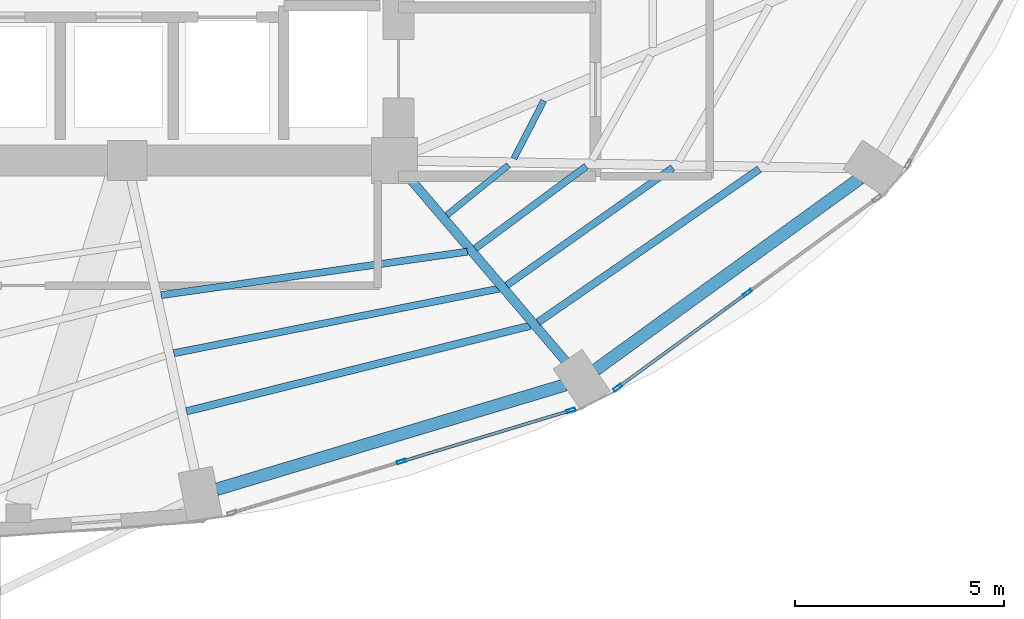
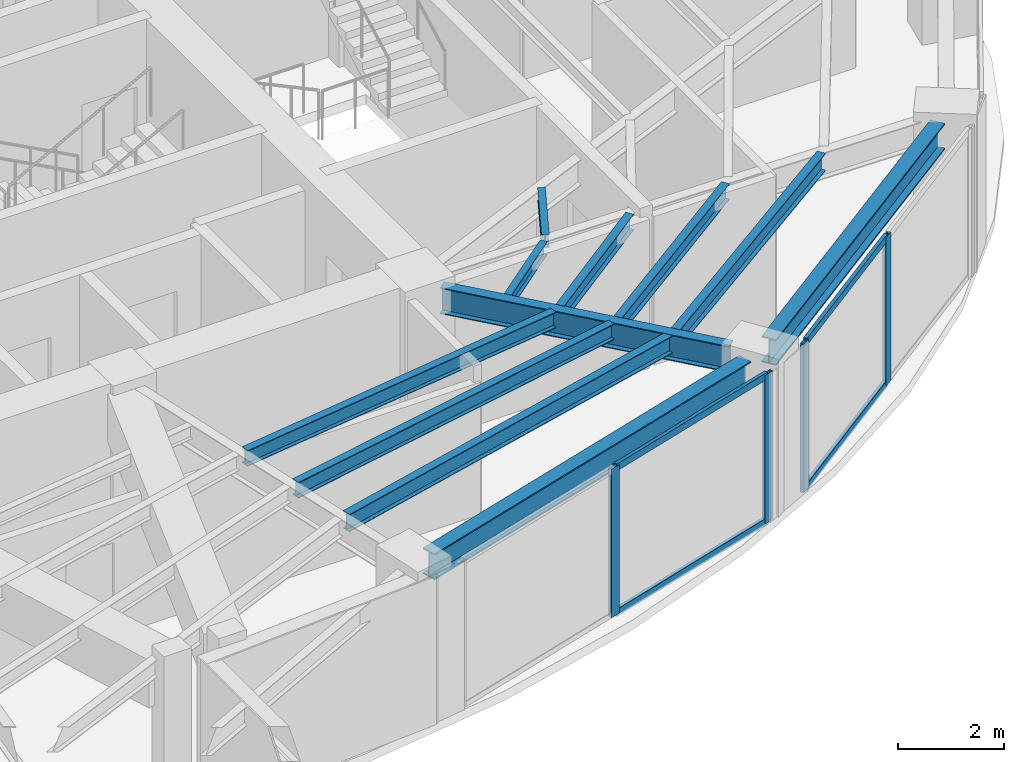
# One storey, part 10 of 23: 11 beams, 8 members, 2 elements without a shape of their own.
"""IFC4 building model written with IfcOpenShell, lengths in metres."""

from ifc_helpers import new_model, si_unit, direction, frame, origin, origin_2d, place, context, subcontext, project, spatial, hollow_rectangle, i_section, extrude, material, layer, layer_set, material_profile, profile_set, type_object, element, aggregate, save


model = new_model("IFC4")

# Units and contexts
model_context = context("Model", 3, precision=1e-05, world=origin(), true_north=direction((0.0, 1.0)))
body_context = subcontext(model_context, "Body", "Model", "MODEL_VIEW")
ifc_project = project(units=[si_unit("LENGTHUNIT", "METRE"), si_unit("AREAUNIT", "SQUARE_METRE"), si_unit("VOLUMEUNIT", "CUBIC_METRE"), si_unit("PLANEANGLEUNIT", "RADIAN"), si_unit("MASSUNIT", "GRAM", prefix="KILO")], contexts=[model_context])

# Site, building, storey
site_placement = place(None, origin())
site = spatial("IfcSite", under=ifc_project, at=site_placement, CompositionType="ELEMENT")
building_placement = place(site_placement, origin())
building = spatial("IfcBuilding", under=site, at=building_placement, Name="Lazwardi Medical Tower", CompositionType="ELEMENT")
storey_placement = place(building_placement, frame((0.0, 0.0, 121.8720703125)))
storey = spatial("IfcBuildingStorey", under=building, at=storey_placement, Name="L31", CompositionType="ELEMENT", Elevation=121.8720703125)

# Beams
ifc_material_1 = material(Name="Steel S355", Category="steel")
ifc_material_profile_1 = material_profile(ifc_material_1, i_section(OverallWidth=0.300048828125, OverallDepth=0.60009765625, WebThickness=0.015380859375, FlangeThickness=0.030029296875, at=origin_2d()), Name="HEB 600")
ifc_profile_set_1 = profile_set([ifc_material_profile_1], Name="Steel S355")
beam_type_1 = type_object("IfcBeamType", Name="BM-RB-Z2", PredefinedType="BEAM", material=ifc_profile_set_1)
beam_1_placement = place(storey_placement, frame((41.338134765625, 12.5205078125, 3.1279296875), z_axis=(0.957879438442, 0.287170648587, 0.0), x_axis=(-0.287170648587, 0.957879438442, 0.0)))
element("IfcBeam", 1, at=beam_1_placement, inside=storey, type_object=beam_type_1, Name="Ring beam RB-03 B01 L31", PredefinedType="BEAM", context=body_context, shape_type="SweptSolid", body=[
    extrude(i_section(OverallWidth=0.300048828125, OverallDepth=0.60009765625, WebThickness=0.015380859375, FlangeThickness=0.030029296875, at=origin_2d()), origin(), (0.0, 0.0, 1.0), 8.719970703125),
])
beam_2_placement = place(storey_placement, frame((50.415771484375, 15.3828125, 3.1279296875), z_axis=(0.810041907649, 0.586371987609, 0.0), x_axis=(-0.586371987609, 0.810041907649, 0.0)))
element("IfcBeam", 2, at=beam_2_placement, inside=storey, type_object=beam_type_1, Name="Ring beam RB-03 B02 L31", PredefinedType="BEAM", context=body_context, shape_type="SweptSolid", body=[
    extrude(i_section(OverallWidth=0.300048828125, OverallDepth=0.60009765625, WebThickness=0.015380859375, FlangeThickness=0.030029296875, at=origin_2d()), origin(), (0.0, 0.0, 1.0), 7.814208984375),
])
ifc_material_profile_2 = material_profile(ifc_material_1, i_section(OverallWidth=0.219970703125, OverallDepth=0.60009765625, WebThickness=0.011962890625, FlangeThickness=0.01904296875, at=origin_2d()), Name="IPE 600")
ifc_profile_set_2 = profile_set([ifc_material_profile_2], Name="Steel S355")
beam_type_2 = type_object("IfcBeamType", Name="BM-RG-W1", PredefinedType="BEAM", material=ifc_profile_set_2)
beam_3_placement = place(storey_placement, frame((49.707275390625, 15.583740234375, 3.1279296875), z_axis=(-0.648870567436, 0.760898801889, 0.0), x_axis=(-0.760898801889, -0.648870567436, 0.0)))
element("IfcBeam", 3, at=beam_3_placement, inside=storey, type_object=beam_type_2, Name="Radial girder RG-02 R02 L31", PredefinedType="BEAM", context=body_context, shape_type="SweptSolid", body=[
    extrude(i_section(OverallWidth=0.219970703125, OverallDepth=0.60009765625, WebThickness=0.011962890625, FlangeThickness=0.01904296875, at=origin_2d()), origin(), (0.0, 0.0, 1.0), 5.794677734375),
])
ifc_material_profile_3 = material_profile(ifc_material_1, i_section(OverallWidth=0.179931640625, OverallDepth=0.39990234375, WebThickness=0.008544921875, FlangeThickness=0.013427734375, at=origin_2d()), Name="IPE 400")
ifc_profile_set_3 = profile_set([ifc_material_profile_3], Name="Steel S355")
beam_type_3 = type_object("IfcBeamType", Name="BM-SJ-01", PredefinedType="JOIST", material=ifc_profile_set_3)
beam_4_placement = place(storey_placement, frame((40.618896484375, 14.390869140625, 3.22802734375), z_axis=(0.970400881943, 0.241499748081, 0.0), x_axis=(-0.241499748081, 0.970400881943, 0.0)))
element("IfcBeam", 4, at=beam_4_placement, inside=storey, type_object=beam_type_3, Name="Secondary joist SJ-01 R1 B01 L31", PredefinedType="JOIST", context=body_context, shape_type="SweptSolid", body=[
    extrude(i_section(OverallWidth=0.179931640625, OverallDepth=0.39990234375, WebThickness=0.008544921875, FlangeThickness=0.013427734375, at=origin_2d()), origin(), (0.0, 0.0, 1.0), 8.48583984375),
])
beam_5_placement = place(storey_placement, frame((49.04150390625, 16.525390625, 3.22802734375), z_axis=(0.822376339068, 0.568943896128, 0.0), x_axis=(-0.568943896128, 0.822376339068, 0.0)))
element("IfcBeam", 5, at=beam_5_placement, inside=storey, type_object=beam_type_3, Name="Secondary joist SJ-01 R1 B02 L31", PredefinedType="JOIST", context=body_context, shape_type="SweptSolid", body=[
    extrude(i_section(OverallWidth=0.179931640625, OverallDepth=0.39990234375, WebThickness=0.008544921875, FlangeThickness=0.013427734375, at=origin_2d()), origin(), (0.0, 0.0, 1.0), 6.44189453125),
])
ifc_material_profile_4 = material_profile(ifc_material_1, i_section(OverallWidth=0.169921875, OverallDepth=0.360107421875, WebThickness=0.008056640625, FlangeThickness=0.0126953125, at=origin_2d()), Name="IPE 360")
ifc_profile_set_4 = profile_set([ifc_material_profile_4], Name="Steel S355")
beam_type_4 = type_object("IfcBeamType", Name="BM-SJ-02", PredefinedType="JOIST", material=ifc_profile_set_4)
beam_6_placement = place(storey_placement, frame((40.315185546875, 15.7822265625, 3.248046875), z_axis=(0.980878853282, 0.194619308352, 0.0), x_axis=(-0.194619308352, 0.980878853282, 0.0)))
element("IfcBeam", 6, at=beam_6_placement, inside=storey, type_object=beam_type_4, Name="Secondary joist SJ-02 R2 B01 L31", PredefinedType="JOIST", context=body_context, shape_type="SweptSolid", body=[
    extrude(i_section(OverallWidth=0.169921875, OverallDepth=0.360107421875, WebThickness=0.008056640625, FlangeThickness=0.0126953125, at=origin_2d()), origin(), (0.0, 0.0, 1.0), 7.93701171875),
])
beam_7_placement = place(storey_placement, frame((48.2890625, 17.408203125, 3.248046875), z_axis=(0.816156371539, 0.577831097464, 0.0), x_axis=(-0.577831097464, 0.816156371539, 0.0)))
element("IfcBeam", 7, at=beam_7_placement, inside=storey, type_object=beam_type_4, Name="Secondary joist SJ-02 R2 B02 L31", PredefinedType="JOIST", context=body_context, shape_type="SweptSolid", body=[
    extrude(i_section(OverallWidth=0.169921875, OverallDepth=0.360107421875, WebThickness=0.008056640625, FlangeThickness=0.0126953125, at=origin_2d()), origin(), (0.0, 0.0, 1.0), 4.8740234375),
])
beam_8_placement = place(storey_placement, frame((40.011474609375, 17.1728515625, 3.248046875), z_axis=(0.990067108571, 0.140595592128, 0.0), x_axis=(-0.140595592128, 0.990067108571, 0.0)))
element("IfcBeam", 8, at=beam_8_placement, inside=storey, type_object=beam_type_4, Name="Secondary joist SJ-02 R3 B01 L31", PredefinedType="JOIST", context=body_context, shape_type="SweptSolid", body=[
    extrude(i_section(OverallWidth=0.169921875, OverallDepth=0.360107421875, WebThickness=0.008056640625, FlangeThickness=0.0126953125, at=origin_2d()), origin(), (0.0, 0.0, 1.0), 7.409423828125),
])
beam_9_placement = place(storey_placement, frame((47.53564453125, 18.291748046875, 3.248046875), z_axis=(0.804125525058, 0.594459536008, 0.0), x_axis=(-0.594459536008, 0.804125525058, 0.0)))
element("IfcBeam", 9, at=beam_9_placement, inside=storey, type_object=beam_type_4, Name="Secondary joist SJ-02 R3 B02 L31", PredefinedType="JOIST", context=body_context, shape_type="SweptSolid", body=[
    extrude(i_section(OverallWidth=0.169921875, OverallDepth=0.360107421875, WebThickness=0.008056640625, FlangeThickness=0.0126953125, at=origin_2d()), origin(), (0.0, 0.0, 1.0), 3.30810546875),
])
ifc_material_profile_5 = material_profile(ifc_material_1, i_section(OverallWidth=0.14990234375, OverallDepth=0.300048828125, WebThickness=0.007080078125, FlangeThickness=0.0107421875, at=origin_2d()), Name="IPE 300")
ifc_profile_set_5 = profile_set([ifc_material_profile_5], Name="Steel S355")
beam_type_5 = type_object("IfcBeamType", Name="BM-SJ-03", PredefinedType="JOIST", material=ifc_profile_set_5)
beam_10_placement = place(storey_placement, frame((46.85595703125, 19.089111328125, 3.27783203125), z_axis=(0.77695773322, 0.629552762515, 0.0), x_axis=(-0.629552762515, 0.77695773322, 0.0)))
element("IfcBeam", 10, at=beam_10_placement, inside=storey, type_object=beam_type_5, Name="Secondary joist SJ-03 R4 B02 L31", PredefinedType="JOIST", context=body_context, shape_type="SweptSolid", body=[
    extrude(i_section(OverallWidth=0.14990234375, OverallDepth=0.300048828125, WebThickness=0.007080078125, FlangeThickness=0.0107421875, at=origin_2d()), origin(), (0.0, 0.0, 1.0), 1.9013671875),
])
beam_11_placement = place(storey_placement, frame((48.462890625, 20.445556640625, 3.27783203125), z_axis=(0.457956589674, 0.888974556427, 0.0), x_axis=(-0.888974556427, 0.457956589674, 0.0)))
element("IfcBeam", 11, at=beam_11_placement, inside=storey, type_object=beam_type_5, Name="Secondary joist SJ-03 R4 B03 L31", PredefinedType="JOIST", context=body_context, shape_type="SweptSolid", body=[
    extrude(i_section(OverallWidth=0.14990234375, OverallDepth=0.300048828125, WebThickness=0.007080078125, FlangeThickness=0.0107421875, at=origin_2d()), origin(), (0.0, 0.0, 1.0), 1.558837890625),
])

# Curtain wall, members
ifc_material_2 = material(Name="Anodised bronze aluminium and solar control glazing", Category="aluminium")
ifc_layer = layer(ifc_material_2, 0.195068359375)
ifc_layer_set = layer_set([ifc_layer], Name="Anodised bronze aluminium and solar control glazing")
curtain_wall_type = type_object("IfcCurtainWallType", Name="CW-SYS-03", PredefinedType="NOTDEFINED", material=ifc_layer_set)
curtain_wall_1_placement = place(storey_placement, origin())
curtain_wall_1 = element("IfcCurtainWall", 12, at=curtain_wall_1_placement, inside=storey, type_object=curtain_wall_type, Name="L31 Unitised bronze curtain wall CW-03", PredefinedType="NOTDEFINED")
ifc_material_3 = material(Name="Anodised bronze aluminium", Category="aluminium")
ifc_material_profile_6 = material_profile(ifc_material_3, hollow_rectangle(XDim=0.074951171875, YDim=0.219970703125, WallThickness=0.00390625, at=origin_2d()), Name="ALU-MULLION 220x75x4")
ifc_profile_set_6 = profile_set([ifc_material_profile_6], Name="Anodised bronze aluminium")
member_type_1 = type_object("IfcMemberType", Name="CW-MUL-01", PredefinedType="MULLION", material=ifc_profile_set_6)
member_1_placement = place(storey_placement, frame((45.769287109375, 13.18701171875, 0.0), z_axis=(0.0, 0.0, 1.0), x_axis=(-0.28937381157, 0.957216170558, 0.0)))
member_1 = element("IfcMember", 13, at=member_1_placement, type_object=member_type_1, Name="CW-03 mullion 2", PredefinedType="MULLION", context=body_context, shape_type="SweptSolid", body=[
    extrude(hollow_rectangle(XDim=0.074951171875, YDim=0.219970703125, WallThickness=0.00390625, at=origin_2d()), origin(), (0.0, 0.0, 1.0), 3.427978515625),
])
member_2_placement = place(storey_placement, frame((49.828369140625, 14.4140625, 0.0), z_axis=(0.0, 0.0, 1.0), x_axis=(-0.28937381157, 0.957216170558, 0.0)))
member_2 = element("IfcMember", 14, at=member_2_placement, type_object=member_type_1, Name="CW-03 mullion 3", PredefinedType="MULLION", context=body_context, shape_type="SweptSolid", body=[
    extrude(hollow_rectangle(XDim=0.074951171875, YDim=0.219970703125, WallThickness=0.00390625, at=origin_2d()), origin(), (0.0, 0.0, 1.0), 3.427978515625),
])

curtain_wall_2_placement = place(storey_placement, origin())
curtain_wall_2 = element("IfcCurtainWall", 15, at=curtain_wall_2_placement, inside=storey, type_object=curtain_wall_type, Name="L31 Unitised bronze curtain wall CW-03", PredefinedType="NOTDEFINED")
member_3_placement = place(storey_placement, frame((50.947265625, 14.96044921875, 0.0), z_axis=(0.0, 0.0, 1.0), x_axis=(-0.589530882802, 0.807745837639, 0.0)))
member_3 = element("IfcMember", 16, at=member_3_placement, type_object=member_type_1, Name="CW-03 mullion 1", PredefinedType="MULLION", context=body_context, shape_type="SweptSolid", body=[
    extrude(hollow_rectangle(XDim=0.074951171875, YDim=0.219970703125, WallThickness=0.00390625, at=origin_2d()), origin(), (0.0, 0.0, 1.0), 3.427978515625),
])
member_4_placement = place(storey_placement, frame((54.051025390625, 17.225830078125, 0.0), z_axis=(0.0, 0.0, 1.0), x_axis=(-0.589530882802, 0.807745837639, 0.0)))
member_4 = element("IfcMember", 17, at=member_4_placement, type_object=member_type_1, Name="CW-03 mullion 2", PredefinedType="MULLION", context=body_context, shape_type="SweptSolid", body=[
    extrude(hollow_rectangle(XDim=0.074951171875, YDim=0.219970703125, WallThickness=0.00390625, at=origin_2d()), origin(), (0.0, 0.0, 1.0), 3.427978515625),
])

# Member
ifc_material_profile_7 = material_profile(ifc_material_3, hollow_rectangle(XDim=0.074951171875, YDim=0.159912109375, WallThickness=0.00390625, at=origin_2d()), Name="ALU-TRANSOM 160x75x4")
ifc_profile_set_7 = profile_set([ifc_material_profile_7], Name="Anodised bronze aluminium")
member_type_2 = type_object("IfcMemberType", Name="CW-TRN-01", PredefinedType="USERDEFINED", material=ifc_profile_set_7)
member_5_placement = place(storey_placement, frame((45.80517578125, 13.19775390625, 0.037353515625), z_axis=(0.957220865985, 0.289358279168, 0.0), x_axis=(-0.289358279168, 0.957220865985, 0.0)))
member_5 = element("IfcMember", 18, at=member_5_placement, type_object=member_type_2, Name="CW-03 transom 2.1", ObjectType="TRANSOM", PredefinedType="USERDEFINED", context=body_context, shape_type="SweptSolid", body=[
    extrude(hollow_rectangle(XDim=0.074951171875, YDim=0.159912109375, WallThickness=0.00390625, at=origin_2d()), origin(), (0.0, 0.0, 1.0), 4.16552734375),
])

member_6_placement = place(storey_placement, frame((45.80517578125, 13.19775390625, 3.390380859375), z_axis=(0.957220865985, 0.289358279168, 0.0), x_axis=(-0.289358279168, 0.957220865985, 0.0)))
member_6 = element("IfcMember", 19, at=member_6_placement, type_object=member_type_2, Name="CW-03 transom 2.2", ObjectType="TRANSOM", PredefinedType="USERDEFINED", context=body_context, shape_type="SweptSolid", body=[
    extrude(hollow_rectangle(XDim=0.074951171875, YDim=0.159912109375, WallThickness=0.00390625, at=origin_2d()), origin(), (0.0, 0.0, 1.0), 4.16552734375),
])

aggregate(curtain_wall_1, [member_1, member_2, member_5, member_6])

member_7_placement = place(storey_placement, frame((50.9775390625, 14.982421875, 0.037353515625), z_axis=(0.807731734271, 0.589550206049, 0.0), x_axis=(-0.589550206049, 0.807731734271, 0.0)))
member_7 = element("IfcMember", 20, at=member_7_placement, type_object=member_type_2, Name="CW-03 transom 1.1", ObjectType="TRANSOM", PredefinedType="USERDEFINED", context=body_context, shape_type="SweptSolid", body=[
    extrude(hollow_rectangle(XDim=0.074951171875, YDim=0.159912109375, WallThickness=0.00390625, at=origin_2d()), origin(), (0.0, 0.0, 1.0), 3.767578125),
])

member_8_placement = place(storey_placement, frame((50.9775390625, 14.982421875, 3.390380859375), z_axis=(0.807731734271, 0.589550206049, 0.0), x_axis=(-0.589550206049, 0.807731734271, 0.0)))
member_8 = element("IfcMember", 21, at=member_8_placement, type_object=member_type_2, Name="CW-03 transom 1.2", ObjectType="TRANSOM", PredefinedType="USERDEFINED", context=body_context, shape_type="SweptSolid", body=[
    extrude(hollow_rectangle(XDim=0.074951171875, YDim=0.159912109375, WallThickness=0.00390625, at=origin_2d()), origin(), (0.0, 0.0, 1.0), 3.767578125),
])

aggregate(curtain_wall_2, [member_3, member_4, member_7, member_8])

save(model, "model.ifc")
